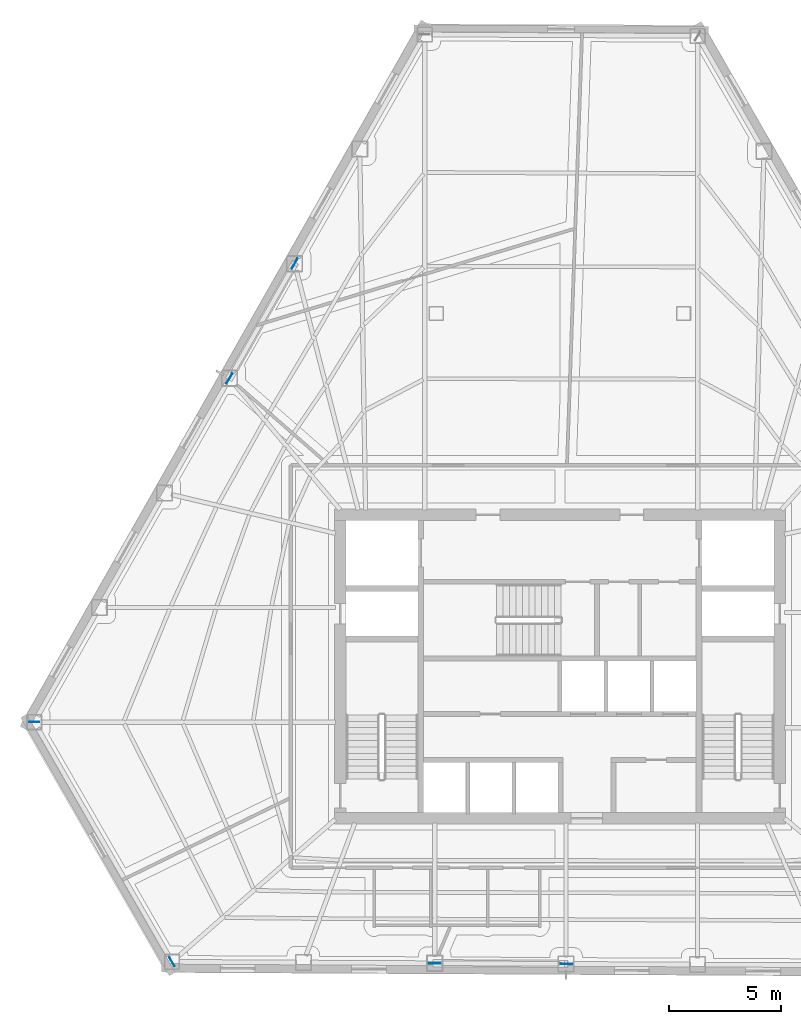
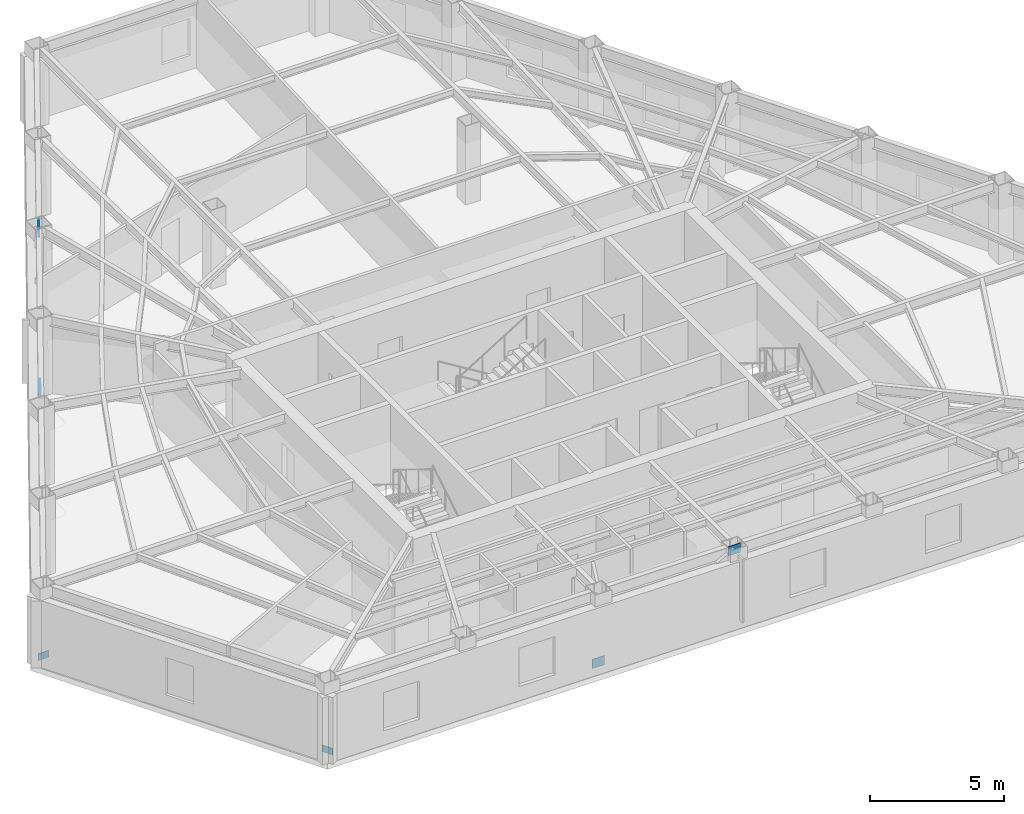
# One storey, part 4 of 12: 6 plates.
"""IFC4 building model written with IfcOpenShell, lengths in metres."""

from ifc_helpers import new_model, si_unit, direction, frame, origin, origin_2d, place, context, subcontext, project, spatial, rectangle, extrude, material, layer, layer_set, type_object, element, save


model = new_model("IFC4")

# Units and contexts
model_context = context("Model", 3, precision=1e-05, world=origin(), true_north=direction((0.0, 1.0)))
body_context = subcontext(model_context, "Body", "Model", "MODEL_VIEW")
ifc_project = project(units=[si_unit("LENGTHUNIT", "METRE"), si_unit("AREAUNIT", "SQUARE_METRE"), si_unit("VOLUMEUNIT", "CUBIC_METRE"), si_unit("PLANEANGLEUNIT", "RADIAN"), si_unit("MASSUNIT", "GRAM", prefix="KILO")], contexts=[model_context])

# Site, building, storey
site_placement = place(None, origin())
site = spatial("IfcSite", under=ifc_project, at=site_placement, CompositionType="ELEMENT")
building_placement = place(site_placement, origin())
building = spatial("IfcBuilding", under=site, at=building_placement, Name="Kavelnor Concourse Tower", CompositionType="ELEMENT")
storey_placement = place(building_placement, frame((0.0, 0.0, 104.75)))
storey = spatial("IfcBuildingStorey", under=building, at=storey_placement, Name="L26", CompositionType="ELEMENT", Elevation=104.75)

# Plates
ifc_material = material(Name="Steel Grade 350", Category="steel")
ifc_layer_1 = layer(ifc_material, 0.028076171875, Name="Steel Grade 350")
ifc_layer_set_1 = layer_set([ifc_layer_1], Name="Steel Grade 350")
plate_type_1 = type_object("IfcPlateType", Name="PL-GUSSET-FOLD", PredefinedType="USERDEFINED", material=ifc_layer_set_1)
for number, where, z_axis, x_axis, name in (
    (1, (14.62353515625, 13.62646484375, 0.10009765625), (0.0, 0.0, 1.0), (1.0, 0.0, 0.0), "L26 Herringbone Corner-Fold Kink Gusset Plate F0-B6"),
    (2, (20.751220703125, 2.966796875, 0.10009765625), (0.0, 0.0, 1.0), (-0.5, 0.866025403784, 0.0), "L26 Herringbone Corner-Fold Kink Gusset Plate F1-B0"),
):
    element("IfcPlate", number, at=place(storey_placement, frame(where, z_axis=z_axis, x_axis=x_axis)), inside=storey, type_object=plate_type_1, Name=name, ObjectType="GUSSET_PLATE", PredefinedType="USERDEFINED", context=body_context, shape_type="SweptSolid", body=[
        extrude(rectangle(XDim=0.4599609375, YDim=0.028076171875, at=origin_2d()), origin(), (0.0, 0.0, 1.0), 0.300048828125),
    ])
ifc_layer_2 = layer(ifc_material, 0.031982421875, Name="Steel Grade 350")
ifc_layer_set_2 = layer_set([ifc_layer_2], Name="Steel Grade 350")
plate_type_2 = type_object("IfcPlateType", Name="PL-GUSSET-TUBE-Z1", PredefinedType="USERDEFINED", material=ifc_layer_set_2)
for number, where, z_axis, x_axis, name in (
    (3, (23.30126953125, 28.905029296875, 0.010009765625), (0.0, 0.0, 1.0), (0.493790103568, 0.86958112538, 0.0), "L26 Tube Brace Gusset GP3 F0-B2 End Gusset A"),
    (4, (26.20751953125, 34.022216796875, 3.12353515625), (0.0, 0.0, 1.0), (0.493790103568, 0.86958112538, 0.0), "L26 Tube Brace Gusset GP3 F0-B2 End Gusset B"),
    (5, (32.421142578125, 2.90625, 0.010009765625), (0.0, 0.0, 1.0), (0.999986292247, -0.005235963831, 0.0), "L26 Tube Brace Gusset GP3 F1-B2 End Gusset A"),
    (6, (38.2861328125, 2.875732421875, 3.12353515625), (0.0, 0.0, 1.0), (0.999986292247, -0.005235963831, 0.0), "L26 Tube Brace Gusset GP3 F1-B2 End Gusset B"),
):
    element("IfcPlate", number, at=place(storey_placement, frame(where, z_axis=z_axis, x_axis=x_axis)), inside=storey, type_object=plate_type_2, Name=name, ObjectType="GUSSET_PLATE", PredefinedType="USERDEFINED", context=body_context, shape_type="SweptSolid", body=[
        extrude(rectangle(XDim=0.52001953125, YDim=0.031982421875, at=origin_2d()), origin(), (0.0, 0.0, 1.0), 0.419921875),
    ])

save(model, "model.ifc")
